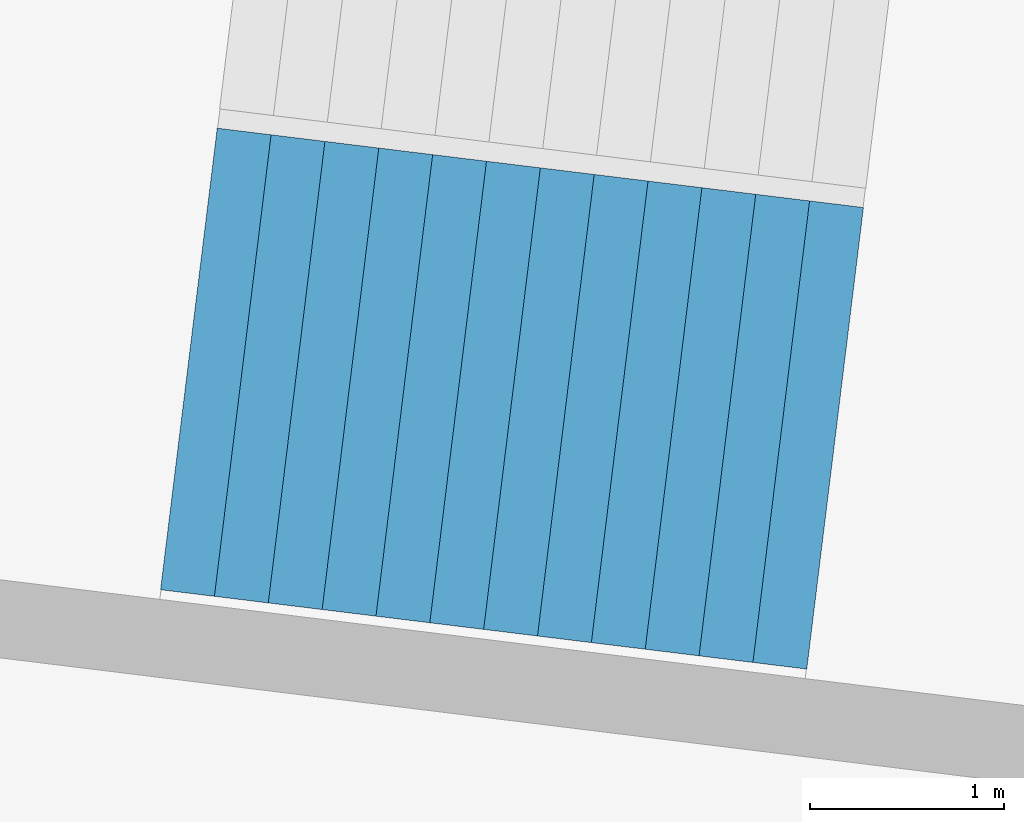
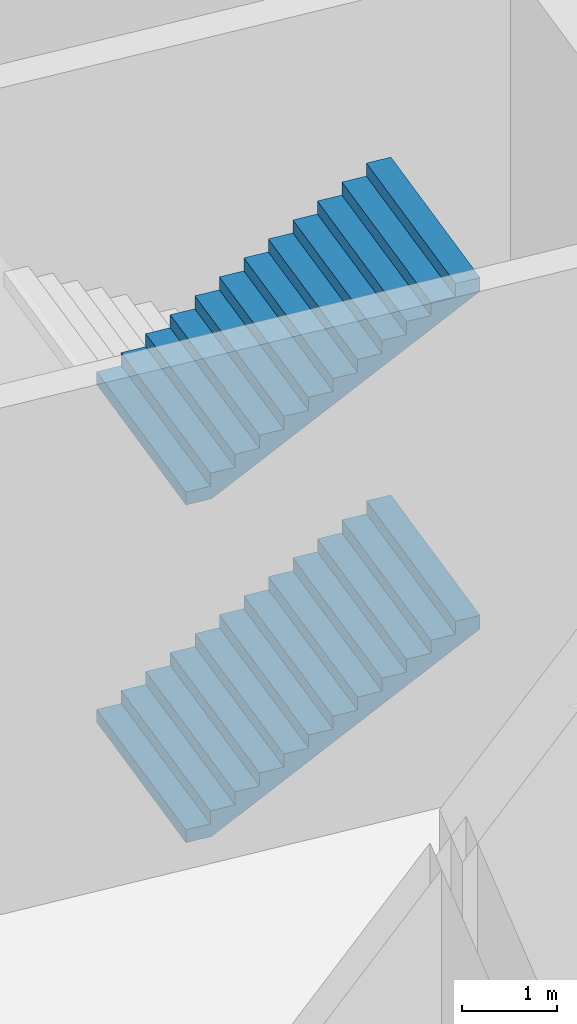
# One storey, part 29 of 47: 2 stair flights, 1 element without a shape of its own.
"""IFC4 building model written with IfcOpenShell, lengths in metres."""

from ifc_helpers import new_model, si_unit, direction, frame, origin, place, context, subcontext, project, spatial, triangles, material, type_object, element, aggregate, save


model = new_model("IFC4")

# Units and contexts
model_context = context("Model", 3, precision=1e-05, world=origin(), true_north=direction((0.0, 1.0)))
body_context = subcontext(model_context, "Body", "Model", "MODEL_VIEW")
ifc_project = project(units=[si_unit("LENGTHUNIT", "METRE"), si_unit("AREAUNIT", "SQUARE_METRE"), si_unit("VOLUMEUNIT", "CUBIC_METRE"), si_unit("PLANEANGLEUNIT", "RADIAN"), si_unit("MASSUNIT", "GRAM", prefix="KILO")], contexts=[model_context])

# Site, building, storey
site_placement = place(None, origin())
site = spatial("IfcSite", under=ifc_project, at=site_placement, CompositionType="ELEMENT")
building_placement = place(site_placement, origin())
building = spatial("IfcBuilding", under=site, at=building_placement, Name="Lantaw Convention Tower", CompositionType="ELEMENT")
storey_placement = place(building_placement, origin())
storey = spatial("IfcBuildingStorey", under=building, at=storey_placement, Name="L00", CompositionType="ELEMENT", Elevation=0.0)

# Stair, stair flights
ifc_material = material(Name="Concrete C35/45", Category="concrete")
stair_type = type_object("IfcStairType", Name="Exit stair 2400 riser 166.67 in 3 flights", PredefinedType="HALF_TURN_STAIR", material=ifc_material)
stair_placement = place(storey_placement, origin())
stair = element("IfcStair", 1, at=stair_placement, inside=storey, type_object=stair_type, Name="Podium exit stair P9 L00", PredefinedType="HALF_TURN_STAIR")
stair_flight_type = type_object("IfcStairFlightType", Name="Stair flight 2400 riser 166.67", PredefinedType="STRAIGHT", material=ifc_material)
stair_flight_1_placement = place(storey_placement, frame((-41.611328125, 3.849853515625, 0.0), z_axis=(0.0, 0.0, 1.0), x_axis=(0.992546151641, -0.121869343405, 0.0)))
stair_flight_1 = element("IfcStairFlight", 2, at=stair_flight_1_placement, type_object=stair_flight_type, Name="P9 flight 1", NumberOfRisers=13, NumberOfTreads=12, PredefinedType="STRAIGHT", RiserHeight=0.166666667, TreadLength=0.28, context=body_context, shape_type="Tessellation", body=[
    triangles([(0.0, 1.199951171875, 0.0), (0.0, 1.199951171875, 0.166666667), (0.28, 1.199951171875, 0.0), (0.28, 1.199951171875, 0.166666667), (0.28, 1.199951171875, 0.333333334), (0.29307345806906815, 1.199951171875, 0.0), (0.29307345806906815, 1.199951171875, 0.333333334), (0.56, 1.199951171875, 0.15888484670522912), (0.56, 1.199951171875, 0.333333334), (0.56, 1.199951171875, 0.500000001), (0.8400000000000001, 1.199951171875, 0.3255515137052291), (0.8400000000000001, 1.199951171875, 0.500000001), (0.8400000000000001, 1.199951171875, 0.666666668), (1.12, 1.199951171875, 0.49221818070522905), (1.12, 1.199951171875, 0.666666668), (1.12, 1.199951171875, 0.833333335), (1.4000000000000001, 1.199951171875, 0.658884847705229), (1.4000000000000001, 1.199951171875, 0.833333335), (1.4000000000000001, 1.199951171875, 1.000000002), (1.6800000000000002, 1.199951171875, 0.825551514705229), (1.6800000000000002, 1.199951171875, 1.000000002), (1.6800000000000002, 1.199951171875, 1.166666669), (1.9600000000000002, 1.199951171875, 0.992218181705229), (1.9600000000000002, 1.199951171875, 1.166666669), (1.9600000000000002, 1.199951171875, 1.333333336), (2.24, 1.199951171875, 1.158884848705229), (2.24, 1.199951171875, 1.333333336), (2.24, 1.199951171875, 1.5000000029999998), (2.5200000000000005, 1.199951171875, 1.325551515705229), (2.5200000000000005, 1.199951171875, 1.5000000029999998), (2.5200000000000005, 1.199951171875, 1.66666667), (2.8000000000000003, 1.199951171875, 1.492218182705229), (2.8000000000000003, 1.199951171875, 1.66666667), (2.8000000000000003, 1.199951171875, 1.833333337), (3.08, 1.199951171875, 1.6588848497052289), (3.08, 1.199951171875, 1.833333337), (3.08, 1.199951171875, 2.000000004), (3.3600000000000003, 1.199951171875, 1.825551516705229), (3.3600000000000003, 1.199951171875, 2.000000004), (0.0, -1.199951171875, 0.0), (0.0, -1.199951171875, 0.166666667), (0.28, -1.199951171875, 0.0), (0.28, -1.199951171875, 0.166666667), (0.28, -1.199951171875, 0.333333334), (0.29307345806906815, -1.199951171875, 0.0), (0.29307345806906815, -1.199951171875, 0.333333334), (0.56, -1.199951171875, 0.15888484670522912), (0.56, -1.199951171875, 0.333333334), (0.56, -1.199951171875, 0.500000001), (0.8400000000000001, -1.199951171875, 0.3255515137052291), (0.8400000000000001, -1.199951171875, 0.500000001), (0.8400000000000001, -1.199951171875, 0.666666668), (1.12, -1.199951171875, 0.49221818070522905), (1.12, -1.199951171875, 0.666666668), (1.12, -1.199951171875, 0.833333335), (1.4000000000000001, -1.199951171875, 0.658884847705229), (1.4000000000000001, -1.199951171875, 0.833333335), (1.4000000000000001, -1.199951171875, 1.000000002), (1.6800000000000002, -1.199951171875, 0.825551514705229), (1.6800000000000002, -1.199951171875, 1.000000002), (1.6800000000000002, -1.199951171875, 1.166666669), (1.9600000000000002, -1.199951171875, 0.992218181705229), (1.9600000000000002, -1.199951171875, 1.166666669), (1.9600000000000002, -1.199951171875, 1.333333336), (2.24, -1.199951171875, 1.158884848705229), (2.24, -1.199951171875, 1.333333336), (2.24, -1.199951171875, 1.5000000029999998), (2.5200000000000005, -1.199951171875, 1.325551515705229), (2.5200000000000005, -1.199951171875, 1.5000000029999998), (2.5200000000000005, -1.199951171875, 1.66666667), (2.8000000000000003, -1.199951171875, 1.492218182705229), (2.8000000000000003, -1.199951171875, 1.66666667), (2.8000000000000003, -1.199951171875, 1.833333337), (3.08, -1.199951171875, 1.6588848497052289), (3.08, -1.199951171875, 1.833333337), (3.08, -1.199951171875, 2.000000004), (3.3600000000000003, -1.199951171875, 1.825551516705229), (3.3600000000000003, -1.199951171875, 2.000000004), (0.0, 0.239990234375, 0.166666667), (0.0, 0.239990234375, 0.0), (0.0, 0.0, 0.166666667), (0.0, 0.0, 0.0), (0.0, -0.239990234375, 0.166666667), (0.0, -0.239990234375, 0.0), (0.28, 0.239990234375, 0.333333334), (0.28, 0.239990234375, 0.166666667), (0.28, 0.0, 0.333333334), (0.28, 0.0, 0.166666667), (0.28, -0.239990234375, 0.333333334), (0.28, -0.239990234375, 0.166666667), (0.56, 0.239990234375, 0.500000001), (0.56, 0.239990234375, 0.333333334), (0.56, 0.0, 0.500000001), (0.56, 0.0, 0.333333334), (0.56, -0.239990234375, 0.500000001), (0.56, -0.239990234375, 0.333333334), (0.8400000000000001, 0.239990234375, 0.666666668), (0.8400000000000001, 0.239990234375, 0.500000001), (0.8400000000000001, 0.0, 0.666666668), (0.8400000000000001, 0.0, 0.500000001), (0.8400000000000001, -0.239990234375, 0.666666668), (0.8400000000000001, -0.239990234375, 0.500000001), (1.12, 0.239990234375, 0.833333335), (1.12, 0.239990234375, 0.666666668), (1.12, 0.0, 0.833333335), (1.12, 0.0, 0.666666668), (1.12, -0.239990234375, 0.833333335), (1.12, -0.239990234375, 0.666666668), (1.4000000000000001, 0.239990234375, 1.000000002), (1.4000000000000001, 0.239990234375, 0.833333335), (1.4000000000000001, 0.0, 1.000000002), (1.4000000000000001, 0.0, 0.833333335), (1.4000000000000001, -0.239990234375, 1.000000002), (1.4000000000000001, -0.239990234375, 0.833333335), (1.6800000000000002, 0.239990234375, 1.166666669), (1.6800000000000002, 0.239990234375, 1.000000002), (1.6800000000000002, 0.0, 1.166666669), (1.6800000000000002, 0.0, 1.000000002), (1.6800000000000002, -0.239990234375, 1.166666669), (1.6800000000000002, -0.239990234375, 1.000000002), (1.9600000000000002, 0.239990234375, 1.333333336), (1.9600000000000002, 0.239990234375, 1.166666669), (1.9600000000000002, 0.0, 1.333333336), (1.9600000000000002, 0.0, 1.166666669), (1.9600000000000002, -0.239990234375, 1.333333336), (1.9600000000000002, -0.239990234375, 1.166666669), (2.24, 0.239990234375, 1.5000000029999998), (2.24, 0.239990234375, 1.333333336), (2.24, 0.0, 1.5000000029999998), (2.24, 0.0, 1.333333336), (2.24, -0.239990234375, 1.5000000029999998), (2.24, -0.239990234375, 1.333333336), (2.5200000000000005, 0.239990234375, 1.66666667), (2.5200000000000005, 0.239990234375, 1.5000000029999998), (2.5200000000000005, 0.0, 1.66666667), (2.5200000000000005, 0.0, 1.5000000029999998), (2.5200000000000005, -0.239990234375, 1.66666667), (2.5200000000000005, -0.239990234375, 1.5000000029999998), (2.8000000000000003, 0.239990234375, 1.833333337), (2.8000000000000003, 0.239990234375, 1.66666667), (2.8000000000000003, 0.0, 1.833333337), (2.8000000000000003, 0.0, 1.66666667), (2.8000000000000003, -0.239990234375, 1.833333337), (2.8000000000000003, -0.239990234375, 1.66666667), (3.08, 0.239990234375, 2.000000004), (3.08, 0.239990234375, 1.833333337), (3.08, 0.0, 2.000000004), (3.08, 0.0, 1.833333337), (3.08, -0.239990234375, 2.000000004), (3.08, -0.239990234375, 1.833333337), (0.29307345806906815, 0.239990234375, 0.333333334), (0.29307345806906815, 0.0, 0.333333334), (0.29307345806906815, -0.239990234375, 0.333333334), (3.3600000000000003, 0.239990234375, 2.000000004), (3.3600000000000003, 0.0, 2.000000004), (3.3600000000000003, -0.239990234375, 2.000000004), (3.3600000000000003, 0.239990234375, 1.8255515167052292), (3.3600000000000003, 0.0, 1.8255515167052292), (3.3600000000000003, -0.239990234375, 1.8255515167052292), (3.08, 0.239990234375, 1.6588848497052289), (3.08, 0.0, 1.6588848497052289), (3.08, -0.239990234375, 1.6588848497052289), (2.8000000000000003, 0.239990234375, 1.492218182705229), (2.8000000000000003, 0.0, 1.492218182705229), (2.8000000000000003, -0.239990234375, 1.492218182705229), (2.5200000000000005, 0.239990234375, 1.325551515705229), (2.5200000000000005, 0.0, 1.325551515705229), (2.5200000000000005, -0.239990234375, 1.325551515705229), (2.24, 0.239990234375, 1.158884848705229), (2.24, 0.0, 1.158884848705229), (2.24, -0.239990234375, 1.158884848705229), (1.9600000000000002, 0.239990234375, 0.992218181705229), (1.9600000000000002, 0.0, 0.992218181705229), (1.9600000000000002, -0.239990234375, 0.992218181705229), (1.6800000000000002, 0.239990234375, 0.825551514705229), (1.6800000000000002, 0.0, 0.825551514705229), (1.6800000000000002, -0.239990234375, 0.825551514705229), (1.4000000000000001, 0.239990234375, 0.658884847705229), (1.4000000000000001, 0.0, 0.658884847705229), (1.4000000000000001, -0.239990234375, 0.658884847705229), (1.12, 0.239990234375, 0.49221818070522905), (1.12, 0.0, 0.49221818070522905), (1.12, -0.239990234375, 0.49221818070522905), (0.8400000000000001, 0.239990234375, 0.3255515137052291), (0.8400000000000001, 0.0, 0.3255515137052291), (0.8400000000000001, -0.239990234375, 0.3255515137052291), (0.56, 0.239990234375, 0.15888484670522912), (0.56, 0.0, 0.15888484670522912), (0.56, -0.239990234375, 0.15888484670522912), (0.29307345806906815, 0.239990234375, 0.0), (0.29307345806906815, 0.0, 0.0), (0.29307345806906815, -0.239990234375, 0.0), (0.28, 0.239990234375, 0.0), (0.28, 0.0, 0.0), (0.28, -0.239990234375, 0.0)], [[1, 4, 3], [1, 2, 4], [3, 4, 6], [4, 7, 6], [4, 5, 7], [6, 9, 8], [6, 7, 9], [8, 9, 11], [9, 12, 11], [9, 10, 12], [11, 12, 14], [12, 15, 14], [12, 13, 15], [14, 15, 17], [15, 18, 17], [15, 16, 18], [17, 18, 20], [18, 21, 20], [18, 19, 21], [20, 21, 23], [21, 24, 23], [21, 22, 24], [23, 24, 26], [24, 27, 26], [24, 25, 27], [26, 27, 29], [27, 30, 29], [27, 28, 30], [29, 30, 32], [30, 33, 32], [30, 31, 33], [32, 33, 35], [33, 36, 35], [33, 34, 36], [35, 36, 38], [36, 39, 38], [36, 37, 39], [40, 42, 43], [40, 43, 41], [42, 45, 43], [43, 45, 46], [43, 46, 44], [45, 47, 48], [45, 48, 46], [47, 50, 48], [48, 50, 51], [48, 51, 49], [50, 53, 51], [51, 53, 54], [51, 54, 52], [53, 56, 54], [54, 56, 57], [54, 57, 55], [56, 59, 57], [57, 59, 60], [57, 60, 58], [59, 62, 60], [60, 62, 63], [60, 63, 61], [62, 65, 63], [63, 65, 66], [63, 66, 64], [65, 68, 66], [66, 68, 69], [66, 69, 67], [68, 71, 69], [69, 71, 72], [69, 72, 70], [71, 74, 72], [72, 74, 75], [72, 75, 73], [74, 77, 75], [75, 77, 78], [75, 78, 76], [1, 79, 2], [1, 80, 79], [80, 81, 79], [80, 82, 81], [82, 83, 81], [82, 84, 83], [84, 41, 83], [84, 40, 41], [4, 85, 5], [4, 86, 85], [86, 87, 85], [86, 88, 87], [88, 89, 87], [88, 90, 89], [90, 44, 89], [90, 43, 44], [9, 91, 10], [9, 92, 91], [92, 93, 91], [92, 94, 93], [94, 95, 93], [94, 96, 95], [96, 49, 95], [96, 48, 49], [12, 97, 13], [12, 98, 97], [98, 99, 97], [98, 100, 99], [100, 101, 99], [100, 102, 101], [102, 52, 101], [102, 51, 52], [15, 103, 16], [15, 104, 103], [104, 105, 103], [104, 106, 105], [106, 107, 105], [106, 108, 107], [108, 55, 107], [108, 54, 55], [18, 109, 19], [18, 110, 109], [110, 111, 109], [110, 112, 111], [112, 113, 111], [112, 114, 113], [114, 58, 113], [114, 57, 58], [21, 115, 22], [21, 116, 115], [116, 117, 115], [116, 118, 117], [118, 119, 117], [118, 120, 119], [120, 61, 119], [120, 60, 61], [24, 121, 25], [24, 122, 121], [122, 123, 121], [122, 124, 123], [124, 125, 123], [124, 126, 125], [126, 64, 125], [126, 63, 64], [27, 127, 28], [27, 128, 127], [128, 129, 127], [128, 130, 129], [130, 131, 129], [130, 132, 131], [132, 67, 131], [132, 66, 67], [30, 133, 31], [30, 134, 133], [134, 135, 133], [134, 136, 135], [136, 137, 135], [136, 138, 137], [138, 70, 137], [138, 69, 70], [33, 139, 34], [33, 140, 139], [140, 141, 139], [140, 142, 141], [142, 143, 141], [142, 144, 143], [144, 73, 143], [144, 72, 73], [36, 145, 37], [36, 146, 145], [146, 147, 145], [146, 148, 147], [148, 149, 147], [148, 150, 149], [150, 76, 149], [150, 75, 76], [2, 86, 4], [2, 79, 86], [79, 88, 86], [79, 81, 88], [81, 90, 88], [81, 83, 90], [83, 43, 90], [83, 41, 43], [5, 151, 7], [5, 85, 151], [85, 152, 151], [85, 87, 152], [87, 153, 152], [87, 89, 153], [89, 46, 153], [89, 44, 46], [7, 92, 9], [7, 151, 92], [151, 94, 92], [151, 152, 94], [152, 96, 94], [152, 153, 96], [153, 48, 96], [153, 46, 48], [10, 98, 12], [10, 91, 98], [91, 100, 98], [91, 93, 100], [93, 102, 100], [93, 95, 102], [95, 51, 102], [95, 49, 51], [13, 104, 15], [13, 97, 104], [97, 106, 104], [97, 99, 106], [99, 108, 106], [99, 101, 108], [101, 54, 108], [101, 52, 54], [16, 110, 18], [16, 103, 110], [103, 112, 110], [103, 105, 112], [105, 114, 112], [105, 107, 114], [107, 57, 114], [107, 55, 57], [19, 116, 21], [19, 109, 116], [109, 118, 116], [109, 111, 118], [111, 120, 118], [111, 113, 120], [113, 60, 120], [113, 58, 60], [22, 122, 24], [22, 115, 122], [115, 124, 122], [115, 117, 124], [117, 126, 124], [117, 119, 126], [119, 63, 126], [119, 61, 63], [25, 128, 27], [25, 121, 128], [121, 130, 128], [121, 123, 130], [123, 132, 130], [123, 125, 132], [125, 66, 132], [125, 64, 66], [28, 134, 30], [28, 127, 134], [127, 136, 134], [127, 129, 136], [129, 138, 136], [129, 131, 138], [131, 69, 138], [131, 67, 69], [31, 140, 33], [31, 133, 140], [133, 142, 140], [133, 135, 142], [135, 144, 142], [135, 137, 144], [137, 72, 144], [137, 70, 72], [34, 146, 36], [34, 139, 146], [139, 148, 146], [139, 141, 148], [141, 150, 148], [141, 143, 150], [143, 75, 150], [143, 73, 75], [37, 154, 39], [37, 145, 154], [145, 155, 154], [145, 147, 155], [147, 156, 155], [147, 149, 156], [149, 78, 156], [149, 76, 78], [39, 157, 38], [39, 154, 157], [154, 158, 157], [154, 155, 158], [155, 159, 158], [155, 156, 159], [156, 77, 159], [156, 78, 77], [38, 160, 35], [38, 157, 160], [157, 161, 160], [157, 158, 161], [158, 162, 161], [158, 159, 162], [159, 74, 162], [159, 77, 74], [35, 163, 32], [35, 160, 163], [160, 164, 163], [160, 161, 164], [161, 165, 164], [161, 162, 165], [162, 71, 165], [162, 74, 71], [32, 166, 29], [32, 163, 166], [163, 167, 166], [163, 164, 167], [164, 168, 167], [164, 165, 168], [165, 68, 168], [165, 71, 68], [29, 169, 26], [29, 166, 169], [166, 170, 169], [166, 167, 170], [167, 171, 170], [167, 168, 171], [168, 65, 171], [168, 68, 65], [26, 172, 23], [26, 169, 172], [169, 173, 172], [169, 170, 173], [170, 174, 173], [170, 171, 174], [171, 62, 174], [171, 65, 62], [23, 175, 20], [23, 172, 175], [172, 176, 175], [172, 173, 176], [173, 177, 176], [173, 174, 177], [174, 59, 177], [174, 62, 59], [20, 178, 17], [20, 175, 178], [175, 179, 178], [175, 176, 179], [176, 180, 179], [176, 177, 180], [177, 56, 180], [177, 59, 56], [17, 181, 14], [17, 178, 181], [178, 182, 181], [178, 179, 182], [179, 183, 182], [179, 180, 183], [180, 53, 183], [180, 56, 53], [14, 184, 11], [14, 181, 184], [181, 185, 184], [181, 182, 185], [182, 186, 185], [182, 183, 186], [183, 50, 186], [183, 53, 50], [11, 187, 8], [11, 184, 187], [184, 188, 187], [184, 185, 188], [185, 189, 188], [185, 186, 189], [186, 47, 189], [186, 50, 47], [8, 190, 6], [8, 187, 190], [187, 191, 190], [187, 188, 191], [188, 192, 191], [188, 189, 192], [189, 45, 192], [189, 47, 45], [6, 193, 3], [6, 190, 193], [190, 194, 193], [190, 191, 194], [191, 195, 194], [191, 192, 195], [192, 42, 195], [192, 45, 42], [3, 80, 1], [3, 193, 80], [193, 82, 80], [193, 194, 82], [194, 84, 82], [194, 195, 84], [195, 40, 84], [195, 42, 40]], closed=True),
])
stair_flight_2_placement = place(storey_placement, frame((-41.611328125, 3.849853515625, 4.333251953125), z_axis=(0.0, 0.0, 1.0), x_axis=(0.992546151641, -0.121869343405, 0.0)))
stair_flight_2 = element("IfcStairFlight", 3, at=stair_flight_2_placement, type_object=stair_flight_type, Name="P9 flight 3", NumberOfRisers=13, NumberOfTreads=12, PredefinedType="STRAIGHT", RiserHeight=0.166666667, TreadLength=0.28, context=body_context, shape_type="Tessellation", body=[
    triangles([(0.0, 1.199951171875, 0.0), (0.0, 1.199951171875, 0.166666667), (0.28, 1.199951171875, 0.0), (0.28, 1.199951171875, 0.166666667), (0.28, 1.199951171875, 0.333333334), (0.29307345806906815, 1.199951171875, 0.0), (0.29307345806906815, 1.199951171875, 0.333333334), (0.56, 1.199951171875, 0.15888484670522912), (0.56, 1.199951171875, 0.333333334), (0.56, 1.199951171875, 0.500000001), (0.8400000000000001, 1.199951171875, 0.3255515137052291), (0.8400000000000001, 1.199951171875, 0.500000001), (0.8400000000000001, 1.199951171875, 0.666666668), (1.12, 1.199951171875, 0.49221818070522905), (1.12, 1.199951171875, 0.666666668), (1.12, 1.199951171875, 0.833333335), (1.4000000000000001, 1.199951171875, 0.658884847705229), (1.4000000000000001, 1.199951171875, 0.833333335), (1.4000000000000001, 1.199951171875, 1.000000002), (1.6800000000000002, 1.199951171875, 0.825551514705229), (1.6800000000000002, 1.199951171875, 1.000000002), (1.6800000000000002, 1.199951171875, 1.166666669), (1.9600000000000002, 1.199951171875, 0.992218181705229), (1.9600000000000002, 1.199951171875, 1.166666669), (1.9600000000000002, 1.199951171875, 1.333333336), (2.24, 1.199951171875, 1.158884848705229), (2.24, 1.199951171875, 1.333333336), (2.24, 1.199951171875, 1.5000000029999998), (2.5200000000000005, 1.199951171875, 1.325551515705229), (2.5200000000000005, 1.199951171875, 1.5000000029999998), (2.5200000000000005, 1.199951171875, 1.66666667), (2.8000000000000003, 1.199951171875, 1.492218182705229), (2.8000000000000003, 1.199951171875, 1.66666667), (2.8000000000000003, 1.199951171875, 1.833333337), (3.08, 1.199951171875, 1.6588848497052289), (3.08, 1.199951171875, 1.833333337), (3.08, 1.199951171875, 2.000000004), (3.3600000000000003, 1.199951171875, 1.825551516705229), (3.3600000000000003, 1.199951171875, 2.000000004), (0.0, -1.199951171875, 0.0), (0.0, -1.199951171875, 0.166666667), (0.28, -1.199951171875, 0.0), (0.28, -1.199951171875, 0.166666667), (0.28, -1.199951171875, 0.333333334), (0.29307345806906815, -1.199951171875, 0.0), (0.29307345806906815, -1.199951171875, 0.333333334), (0.56, -1.199951171875, 0.15888484670522912), (0.56, -1.199951171875, 0.333333334), (0.56, -1.199951171875, 0.500000001), (0.8400000000000001, -1.199951171875, 0.3255515137052291), (0.8400000000000001, -1.199951171875, 0.500000001), (0.8400000000000001, -1.199951171875, 0.666666668), (1.12, -1.199951171875, 0.49221818070522905), (1.12, -1.199951171875, 0.666666668), (1.12, -1.199951171875, 0.833333335), (1.4000000000000001, -1.199951171875, 0.658884847705229), (1.4000000000000001, -1.199951171875, 0.833333335), (1.4000000000000001, -1.199951171875, 1.000000002), (1.6800000000000002, -1.199951171875, 0.825551514705229), (1.6800000000000002, -1.199951171875, 1.000000002), (1.6800000000000002, -1.199951171875, 1.166666669), (1.9600000000000002, -1.199951171875, 0.992218181705229), (1.9600000000000002, -1.199951171875, 1.166666669), (1.9600000000000002, -1.199951171875, 1.333333336), (2.24, -1.199951171875, 1.158884848705229), (2.24, -1.199951171875, 1.333333336), (2.24, -1.199951171875, 1.5000000029999998), (2.5200000000000005, -1.199951171875, 1.325551515705229), (2.5200000000000005, -1.199951171875, 1.5000000029999998), (2.5200000000000005, -1.199951171875, 1.66666667), (2.8000000000000003, -1.199951171875, 1.492218182705229), (2.8000000000000003, -1.199951171875, 1.66666667), (2.8000000000000003, -1.199951171875, 1.833333337), (3.08, -1.199951171875, 1.6588848497052289), (3.08, -1.199951171875, 1.833333337), (3.08, -1.199951171875, 2.000000004), (3.3600000000000003, -1.199951171875, 1.825551516705229), (3.3600000000000003, -1.199951171875, 2.000000004), (0.0, 0.239990234375, 0.166666667), (0.0, 0.239990234375, 0.0), (0.0, 0.0, 0.166666667), (0.0, 0.0, 0.0), (0.0, -0.239990234375, 0.166666667), (0.0, -0.239990234375, 0.0), (0.28, 0.239990234375, 0.333333334), (0.28, 0.239990234375, 0.166666667), (0.28, 0.0, 0.333333334), (0.28, 0.0, 0.166666667), (0.28, -0.239990234375, 0.333333334), (0.28, -0.239990234375, 0.166666667), (0.56, 0.239990234375, 0.500000001), (0.56, 0.239990234375, 0.333333334), (0.56, 0.0, 0.500000001), (0.56, 0.0, 0.333333334), (0.56, -0.239990234375, 0.500000001), (0.56, -0.239990234375, 0.333333334), (0.8400000000000001, 0.239990234375, 0.666666668), (0.8400000000000001, 0.239990234375, 0.500000001), (0.8400000000000001, 0.0, 0.666666668), (0.8400000000000001, 0.0, 0.500000001), (0.8400000000000001, -0.239990234375, 0.666666668), (0.8400000000000001, -0.239990234375, 0.500000001), (1.12, 0.239990234375, 0.833333335), (1.12, 0.239990234375, 0.666666668), (1.12, 0.0, 0.833333335), (1.12, 0.0, 0.666666668), (1.12, -0.239990234375, 0.833333335), (1.12, -0.239990234375, 0.666666668), (1.4000000000000001, 0.239990234375, 1.000000002), (1.4000000000000001, 0.239990234375, 0.833333335), (1.4000000000000001, 0.0, 1.000000002), (1.4000000000000001, 0.0, 0.833333335), (1.4000000000000001, -0.239990234375, 1.000000002), (1.4000000000000001, -0.239990234375, 0.833333335), (1.6800000000000002, 0.239990234375, 1.166666669), (1.6800000000000002, 0.239990234375, 1.000000002), (1.6800000000000002, 0.0, 1.166666669), (1.6800000000000002, 0.0, 1.000000002), (1.6800000000000002, -0.239990234375, 1.166666669), (1.6800000000000002, -0.239990234375, 1.000000002), (1.9600000000000002, 0.239990234375, 1.333333336), (1.9600000000000002, 0.239990234375, 1.166666669), (1.9600000000000002, 0.0, 1.333333336), (1.9600000000000002, 0.0, 1.166666669), (1.9600000000000002, -0.239990234375, 1.333333336), (1.9600000000000002, -0.239990234375, 1.166666669), (2.24, 0.239990234375, 1.5000000029999998), (2.24, 0.239990234375, 1.333333336), (2.24, 0.0, 1.5000000029999998), (2.24, 0.0, 1.333333336), (2.24, -0.239990234375, 1.5000000029999998), (2.24, -0.239990234375, 1.333333336), (2.5200000000000005, 0.239990234375, 1.66666667), (2.5200000000000005, 0.239990234375, 1.5000000029999998), (2.5200000000000005, 0.0, 1.66666667), (2.5200000000000005, 0.0, 1.5000000029999998), (2.5200000000000005, -0.239990234375, 1.66666667), (2.5200000000000005, -0.239990234375, 1.5000000029999998), (2.8000000000000003, 0.239990234375, 1.833333337), (2.8000000000000003, 0.239990234375, 1.66666667), (2.8000000000000003, 0.0, 1.833333337), (2.8000000000000003, 0.0, 1.66666667), (2.8000000000000003, -0.239990234375, 1.833333337), (2.8000000000000003, -0.239990234375, 1.66666667), (3.08, 0.239990234375, 2.000000004), (3.08, 0.239990234375, 1.833333337), (3.08, 0.0, 2.000000004), (3.08, 0.0, 1.833333337), (3.08, -0.239990234375, 2.000000004), (3.08, -0.239990234375, 1.833333337), (0.29307345806906815, 0.239990234375, 0.333333334), (0.29307345806906815, 0.0, 0.333333334), (0.29307345806906815, -0.239990234375, 0.333333334), (3.3600000000000003, 0.239990234375, 2.000000004), (3.3600000000000003, 0.0, 2.000000004), (3.3600000000000003, -0.239990234375, 2.000000004), (3.3600000000000003, 0.239990234375, 1.8255515167052292), (3.3600000000000003, 0.0, 1.8255515167052292), (3.3600000000000003, -0.239990234375, 1.8255515167052292), (3.08, 0.239990234375, 1.6588848497052289), (3.08, 0.0, 1.6588848497052289), (3.08, -0.239990234375, 1.6588848497052289), (2.8000000000000003, 0.239990234375, 1.492218182705229), (2.8000000000000003, 0.0, 1.492218182705229), (2.8000000000000003, -0.239990234375, 1.492218182705229), (2.5200000000000005, 0.239990234375, 1.325551515705229), (2.5200000000000005, 0.0, 1.325551515705229), (2.5200000000000005, -0.239990234375, 1.325551515705229), (2.24, 0.239990234375, 1.158884848705229), (2.24, 0.0, 1.158884848705229), (2.24, -0.239990234375, 1.158884848705229), (1.9600000000000002, 0.239990234375, 0.992218181705229), (1.9600000000000002, 0.0, 0.992218181705229), (1.9600000000000002, -0.239990234375, 0.992218181705229), (1.6800000000000002, 0.239990234375, 0.825551514705229), (1.6800000000000002, 0.0, 0.825551514705229), (1.6800000000000002, -0.239990234375, 0.825551514705229), (1.4000000000000001, 0.239990234375, 0.658884847705229), (1.4000000000000001, 0.0, 0.658884847705229), (1.4000000000000001, -0.239990234375, 0.658884847705229), (1.12, 0.239990234375, 0.49221818070522905), (1.12, 0.0, 0.49221818070522905), (1.12, -0.239990234375, 0.49221818070522905), (0.8400000000000001, 0.239990234375, 0.3255515137052291), (0.8400000000000001, 0.0, 0.3255515137052291), (0.8400000000000001, -0.239990234375, 0.3255515137052291), (0.56, 0.239990234375, 0.15888484670522912), (0.56, 0.0, 0.15888484670522912), (0.56, -0.239990234375, 0.15888484670522912), (0.29307345806906815, 0.239990234375, 0.0), (0.29307345806906815, 0.0, 0.0), (0.29307345806906815, -0.239990234375, 0.0), (0.28, 0.239990234375, 0.0), (0.28, 0.0, 0.0), (0.28, -0.239990234375, 0.0)], [[1, 4, 3], [1, 2, 4], [3, 4, 6], [4, 7, 6], [4, 5, 7], [6, 9, 8], [6, 7, 9], [8, 9, 11], [9, 12, 11], [9, 10, 12], [11, 12, 14], [12, 15, 14], [12, 13, 15], [14, 15, 17], [15, 18, 17], [15, 16, 18], [17, 18, 20], [18, 21, 20], [18, 19, 21], [20, 21, 23], [21, 24, 23], [21, 22, 24], [23, 24, 26], [24, 27, 26], [24, 25, 27], [26, 27, 29], [27, 30, 29], [27, 28, 30], [29, 30, 32], [30, 33, 32], [30, 31, 33], [32, 33, 35], [33, 36, 35], [33, 34, 36], [35, 36, 38], [36, 39, 38], [36, 37, 39], [40, 42, 43], [40, 43, 41], [42, 45, 43], [43, 45, 46], [43, 46, 44], [45, 47, 48], [45, 48, 46], [47, 50, 48], [48, 50, 51], [48, 51, 49], [50, 53, 51], [51, 53, 54], [51, 54, 52], [53, 56, 54], [54, 56, 57], [54, 57, 55], [56, 59, 57], [57, 59, 60], [57, 60, 58], [59, 62, 60], [60, 62, 63], [60, 63, 61], [62, 65, 63], [63, 65, 66], [63, 66, 64], [65, 68, 66], [66, 68, 69], [66, 69, 67], [68, 71, 69], [69, 71, 72], [69, 72, 70], [71, 74, 72], [72, 74, 75], [72, 75, 73], [74, 77, 75], [75, 77, 78], [75, 78, 76], [1, 79, 2], [1, 80, 79], [80, 81, 79], [80, 82, 81], [82, 83, 81], [82, 84, 83], [84, 41, 83], [84, 40, 41], [4, 85, 5], [4, 86, 85], [86, 87, 85], [86, 88, 87], [88, 89, 87], [88, 90, 89], [90, 44, 89], [90, 43, 44], [9, 91, 10], [9, 92, 91], [92, 93, 91], [92, 94, 93], [94, 95, 93], [94, 96, 95], [96, 49, 95], [96, 48, 49], [12, 97, 13], [12, 98, 97], [98, 99, 97], [98, 100, 99], [100, 101, 99], [100, 102, 101], [102, 52, 101], [102, 51, 52], [15, 103, 16], [15, 104, 103], [104, 105, 103], [104, 106, 105], [106, 107, 105], [106, 108, 107], [108, 55, 107], [108, 54, 55], [18, 109, 19], [18, 110, 109], [110, 111, 109], [110, 112, 111], [112, 113, 111], [112, 114, 113], [114, 58, 113], [114, 57, 58], [21, 115, 22], [21, 116, 115], [116, 117, 115], [116, 118, 117], [118, 119, 117], [118, 120, 119], [120, 61, 119], [120, 60, 61], [24, 121, 25], [24, 122, 121], [122, 123, 121], [122, 124, 123], [124, 125, 123], [124, 126, 125], [126, 64, 125], [126, 63, 64], [27, 127, 28], [27, 128, 127], [128, 129, 127], [128, 130, 129], [130, 131, 129], [130, 132, 131], [132, 67, 131], [132, 66, 67], [30, 133, 31], [30, 134, 133], [134, 135, 133], [134, 136, 135], [136, 137, 135], [136, 138, 137], [138, 70, 137], [138, 69, 70], [33, 139, 34], [33, 140, 139], [140, 141, 139], [140, 142, 141], [142, 143, 141], [142, 144, 143], [144, 73, 143], [144, 72, 73], [36, 145, 37], [36, 146, 145], [146, 147, 145], [146, 148, 147], [148, 149, 147], [148, 150, 149], [150, 76, 149], [150, 75, 76], [2, 86, 4], [2, 79, 86], [79, 88, 86], [79, 81, 88], [81, 90, 88], [81, 83, 90], [83, 43, 90], [83, 41, 43], [5, 151, 7], [5, 85, 151], [85, 152, 151], [85, 87, 152], [87, 153, 152], [87, 89, 153], [89, 46, 153], [89, 44, 46], [7, 92, 9], [7, 151, 92], [151, 94, 92], [151, 152, 94], [152, 96, 94], [152, 153, 96], [153, 48, 96], [153, 46, 48], [10, 98, 12], [10, 91, 98], [91, 100, 98], [91, 93, 100], [93, 102, 100], [93, 95, 102], [95, 51, 102], [95, 49, 51], [13, 104, 15], [13, 97, 104], [97, 106, 104], [97, 99, 106], [99, 108, 106], [99, 101, 108], [101, 54, 108], [101, 52, 54], [16, 110, 18], [16, 103, 110], [103, 112, 110], [103, 105, 112], [105, 114, 112], [105, 107, 114], [107, 57, 114], [107, 55, 57], [19, 116, 21], [19, 109, 116], [109, 118, 116], [109, 111, 118], [111, 120, 118], [111, 113, 120], [113, 60, 120], [113, 58, 60], [22, 122, 24], [22, 115, 122], [115, 124, 122], [115, 117, 124], [117, 126, 124], [117, 119, 126], [119, 63, 126], [119, 61, 63], [25, 128, 27], [25, 121, 128], [121, 130, 128], [121, 123, 130], [123, 132, 130], [123, 125, 132], [125, 66, 132], [125, 64, 66], [28, 134, 30], [28, 127, 134], [127, 136, 134], [127, 129, 136], [129, 138, 136], [129, 131, 138], [131, 69, 138], [131, 67, 69], [31, 140, 33], [31, 133, 140], [133, 142, 140], [133, 135, 142], [135, 144, 142], [135, 137, 144], [137, 72, 144], [137, 70, 72], [34, 146, 36], [34, 139, 146], [139, 148, 146], [139, 141, 148], [141, 150, 148], [141, 143, 150], [143, 75, 150], [143, 73, 75], [37, 154, 39], [37, 145, 154], [145, 155, 154], [145, 147, 155], [147, 156, 155], [147, 149, 156], [149, 78, 156], [149, 76, 78], [39, 157, 38], [39, 154, 157], [154, 158, 157], [154, 155, 158], [155, 159, 158], [155, 156, 159], [156, 77, 159], [156, 78, 77], [38, 160, 35], [38, 157, 160], [157, 161, 160], [157, 158, 161], [158, 162, 161], [158, 159, 162], [159, 74, 162], [159, 77, 74], [35, 163, 32], [35, 160, 163], [160, 164, 163], [160, 161, 164], [161, 165, 164], [161, 162, 165], [162, 71, 165], [162, 74, 71], [32, 166, 29], [32, 163, 166], [163, 167, 166], [163, 164, 167], [164, 168, 167], [164, 165, 168], [165, 68, 168], [165, 71, 68], [29, 169, 26], [29, 166, 169], [166, 170, 169], [166, 167, 170], [167, 171, 170], [167, 168, 171], [168, 65, 171], [168, 68, 65], [26, 172, 23], [26, 169, 172], [169, 173, 172], [169, 170, 173], [170, 174, 173], [170, 171, 174], [171, 62, 174], [171, 65, 62], [23, 175, 20], [23, 172, 175], [172, 176, 175], [172, 173, 176], [173, 177, 176], [173, 174, 177], [174, 59, 177], [174, 62, 59], [20, 178, 17], [20, 175, 178], [175, 179, 178], [175, 176, 179], [176, 180, 179], [176, 177, 180], [177, 56, 180], [177, 59, 56], [17, 181, 14], [17, 178, 181], [178, 182, 181], [178, 179, 182], [179, 183, 182], [179, 180, 183], [180, 53, 183], [180, 56, 53], [14, 184, 11], [14, 181, 184], [181, 185, 184], [181, 182, 185], [182, 186, 185], [182, 183, 186], [183, 50, 186], [183, 53, 50], [11, 187, 8], [11, 184, 187], [184, 188, 187], [184, 185, 188], [185, 189, 188], [185, 186, 189], [186, 47, 189], [186, 50, 47], [8, 190, 6], [8, 187, 190], [187, 191, 190], [187, 188, 191], [188, 192, 191], [188, 189, 192], [189, 45, 192], [189, 47, 45], [6, 193, 3], [6, 190, 193], [190, 194, 193], [190, 191, 194], [191, 195, 194], [191, 192, 195], [192, 42, 195], [192, 45, 42], [3, 80, 1], [3, 193, 80], [193, 82, 80], [193, 194, 82], [194, 84, 82], [194, 195, 84], [195, 40, 84], [195, 42, 40]], closed=True),
])
aggregate(stair, [stair_flight_1, stair_flight_2])

save(model, "model.ifc")
